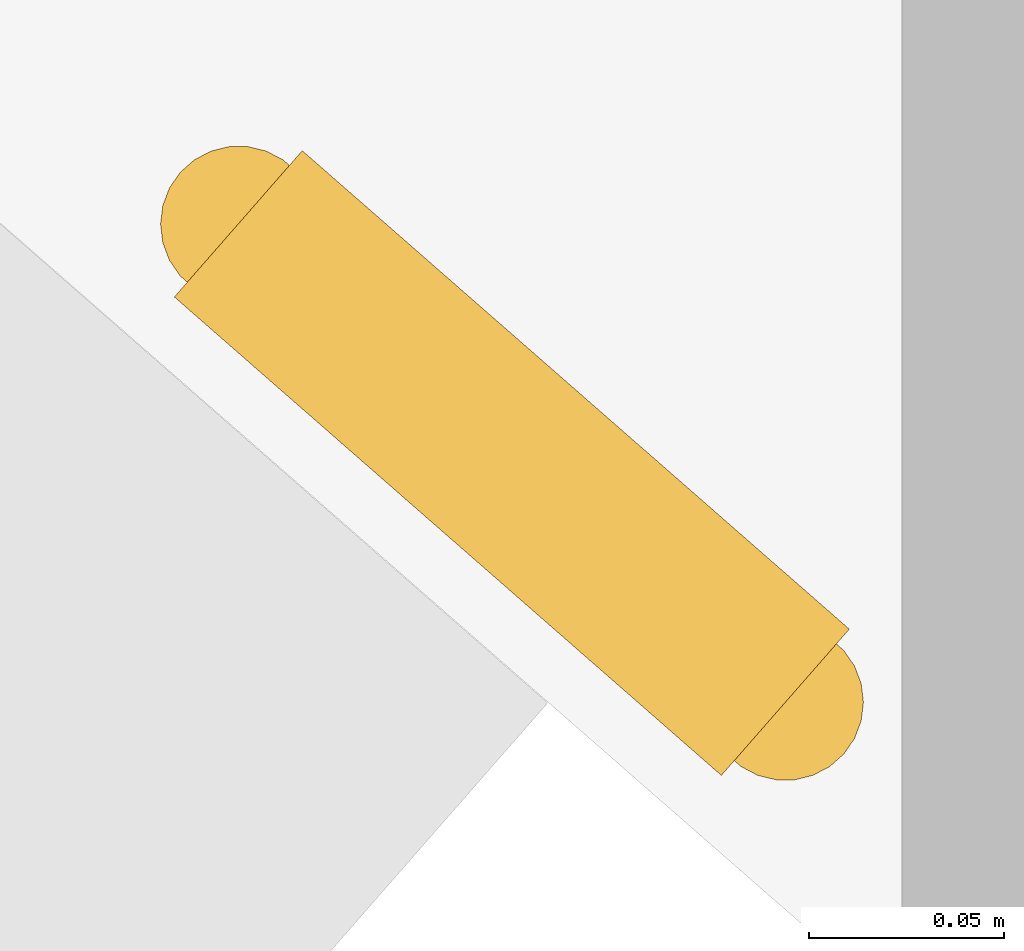
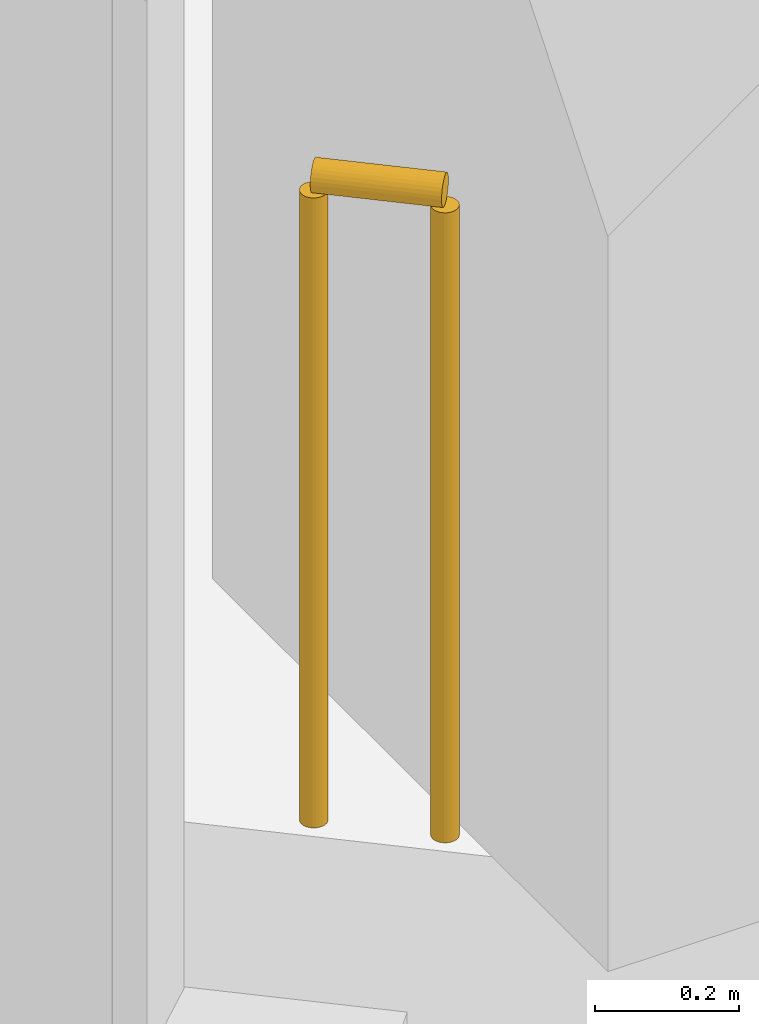
# One storey, part 33 of 38: 1 railing.
"""IFC4 building model written with IfcOpenShell, lengths in metres."""

from ifc_helpers import new_model, si_unit, direction, frame, origin, origin_2d, place, context, subcontext, project, spatial, circle, extrude, material, type_object, element, save


model = new_model("IFC4")

# Units and contexts
model_context = context("Model", 3, precision=1e-05, world=origin(), true_north=direction((0.0, 1.0)))
body_context = subcontext(model_context, "Body", "Model", "MODEL_VIEW")
ifc_project = project(units=[si_unit("LENGTHUNIT", "METRE"), si_unit("AREAUNIT", "SQUARE_METRE"), si_unit("VOLUMEUNIT", "CUBIC_METRE"), si_unit("PLANEANGLEUNIT", "RADIAN"), si_unit("MASSUNIT", "GRAM", prefix="KILO")], contexts=[model_context])

# Site, building, storey
site_placement = place(None, origin())
site = spatial("IfcSite", under=ifc_project, at=site_placement, CompositionType="ELEMENT")
building_placement = place(site_placement, origin())
building = spatial("IfcBuilding", under=site, at=building_placement, Name="Orlundy Tower", CompositionType="ELEMENT")
storey_placement = place(building_placement, frame((0.0, 0.0, 62.300048828125)))
storey = spatial("IfcBuildingStorey", under=building, at=storey_placement, Name="L14", CompositionType="ELEMENT", Elevation=62.300048828125)

# Railing
ifc_material = material(Name="Stainless steel bronze finish", Category="steel")
railing_type = type_object("IfcRailingType", Name="TG1 terrace guard", PredefinedType="GUARDRAIL", material=ifc_material)
railing_placement = place(storey_placement, frame((-46.7529296875, -38.10400390625, 0.0)))
element("IfcRailing", 1, at=railing_placement, inside=storey, type_object=railing_type, Name="Guard TG-L14-E01", PredefinedType="GUARDRAIL", context=body_context, shape_type="SweptSolid", body=[
    extrude(circle(Radius=0.02490234375, at=origin_2d()), frame((0.0, 0.0, 1.09521484375), z_axis=(-0.752739145175, 0.658318903968, 0.0), x_axis=(-0.658318903968, -0.752739145175, 0.0)), (0.0, 0.0, 1.0), 0.186279296875),
    extrude(circle(Radius=0.02001953125, at=origin_2d()), origin(), (0.0, 0.0, 1.0), 1.070068359375),
    extrude(circle(Radius=0.02001953125, at=origin_2d()), frame((-0.14013671875, 0.12255859375, 0.0)), (0.0, 0.0, 1.0), 1.070068359375),
])

save(model, "model.ifc")
